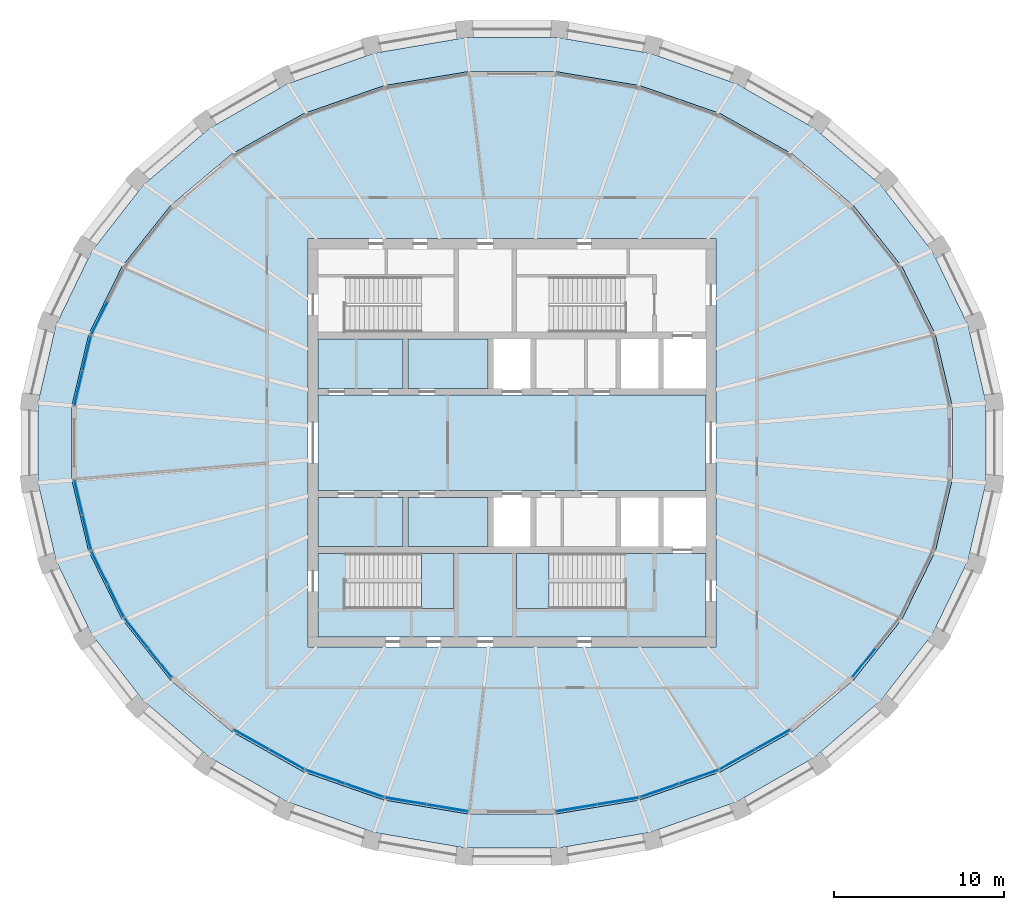
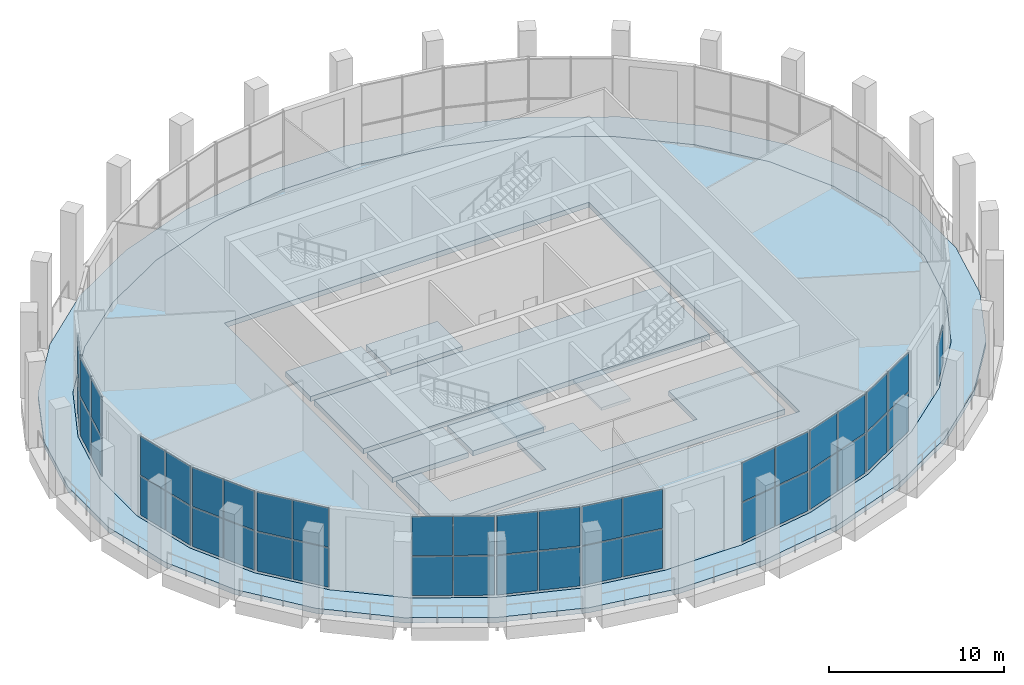
# One storey, part 8 of 15: 43 plates, 10 slabs, 14 elements without a shape of their own.
"""IFC4 building model written with IfcOpenShell, lengths in metres."""

from ifc_helpers import new_model, si_unit, direction, frame, origin, origin_2d, place, context, subcontext, project, spatial, polyline, rectangle, outline, extrude, material, layer, layer_set, type_object, element, aggregate, save


model = new_model("IFC4")

# Units and contexts
model_context = context("Model", 3, precision=1e-05, world=origin(), true_north=direction((0.0, 1.0)))
body_context = subcontext(model_context, "Body", "Model", "MODEL_VIEW")
ifc_project = project(units=[si_unit("LENGTHUNIT", "METRE"), si_unit("AREAUNIT", "SQUARE_METRE"), si_unit("VOLUMEUNIT", "CUBIC_METRE"), si_unit("PLANEANGLEUNIT", "RADIAN"), si_unit("MASSUNIT", "GRAM", prefix="KILO")], contexts=[model_context])

# Site, building, storey
site_placement = place(None, origin())
site = spatial("IfcSite", under=ifc_project, at=site_placement, CompositionType="ELEMENT")
building_placement = place(site_placement, origin())
building = spatial("IfcBuilding", under=site, at=building_placement, Name="Halqa Exchange Tower", CompositionType="ELEMENT")
storey_placement = place(building_placement, frame((0.0, 0.0, 343.300048828125)))
storey = spatial("IfcBuildingStorey", under=building, at=storey_placement, Name="L80", CompositionType="ELEMENT", Elevation=343.300048828125)

# Slabs
ifc_material_1 = material(Name="Concrete C60/75", Category="concrete")
ifc_layer_1 = layer(ifc_material_1, 0.35009765625)
ifc_layer_set_1 = layer_set([ifc_layer_1], Name="Concrete C60/75")
slab_type_1 = type_object("IfcSlabType", Name="Core floor slab 350", PredefinedType="FLOOR", material=ifc_layer_set_1)
slab_1_placement = place(storey_placement, frame((0.0, 0.0, -0.35009765625)))
element("IfcSlab", 1, at=slab_1_placement, inside=storey, type_object=slab_type_1, Name="Core floor slab", PredefinedType="FLOOR", context=body_context, shape_type="SweptSolid", body=[
    extrude(outline(polyline([(11.39990234375, 2.800048828125), (11.39990234375, -2.800048828125), (-11.39990234375, -2.800048828125), (-11.39990234375, 2.800048828125), (11.39990234375, 2.800048828125)])), origin(), (0.0, 0.0, 1.0), 0.35009765625),
])
slab_2_placement = place(storey_placement, frame((0.0, 0.0, -0.35009765625)))
element("IfcSlab", 2, at=slab_2_placement, inside=storey, type_object=slab_type_1, Name="Core floor slab", PredefinedType="FLOOR", context=body_context, shape_type="SweptSolid", body=[
    extrude(outline(polyline([(11.39990234375, -6.5), (11.39990234375, -11.39990234375), (-11.39990234375, -11.39990234375), (-11.39990234375, -6.5), (-9.699951171875, -6.5), (-9.699951171875, -9.75), (-3.39990234375, -9.75), (-3.39990234375, -6.5), (0.25, -6.5), (0.25, -9.75), (6.550048828125, -9.75), (6.550048828125, -6.5), (11.39990234375, -6.5)])), origin(), (0.0, 0.0, 1.0), 0.35009765625),
])
slab_3_placement = place(storey_placement, frame((0.0, 0.0, -0.35009765625)))
element("IfcSlab", 3, at=slab_3_placement, inside=storey, type_object=slab_type_1, Name="Core floor slab", PredefinedType="FLOOR", context=body_context, shape_type="SweptSolid", body=[
    extrude(outline(polyline([(-6.39990234375, -6.10009765625), (-11.39990234375, -6.10009765625), (-11.39990234375, -3.199951171875), (-6.39990234375, -3.199951171875), (-6.39990234375, -6.10009765625)])), origin(), (0.0, 0.0, 1.0), 0.35009765625),
])
slab_4_placement = place(storey_placement, frame((0.0, 0.0, -0.35009765625)))
element("IfcSlab", 4, at=slab_4_placement, inside=storey, type_object=slab_type_1, Name="Core floor slab", PredefinedType="FLOOR", context=body_context, shape_type="SweptSolid", body=[
    extrude(outline(polyline([(-6.39990234375, 3.199951171875), (-11.39990234375, 3.199951171875), (-11.39990234375, 6.10009765625), (-6.39990234375, 6.10009765625), (-6.39990234375, 3.199951171875)])), origin(), (0.0, 0.0, 1.0), 0.35009765625),
])
slab_5_placement = place(storey_placement, frame((0.0, 0.0, -0.35009765625)))
element("IfcSlab", 5, at=slab_5_placement, inside=storey, type_object=slab_type_1, Name="Core floor slab", PredefinedType="FLOOR", context=body_context, shape_type="SweptSolid", body=[
    extrude(outline(polyline([(-1.39990234375, -3.199951171875), (-1.39990234375, -6.10009765625), (-6.10009765625, -6.10009765625), (-6.10009765625, -3.199951171875), (-1.39990234375, -3.199951171875)])), origin(), (0.0, 0.0, 1.0), 0.35009765625),
])
slab_6_placement = place(storey_placement, frame((0.0, 0.0, -0.35009765625)))
element("IfcSlab", 6, at=slab_6_placement, inside=storey, type_object=slab_type_1, Name="Core floor slab", PredefinedType="FLOOR", context=body_context, shape_type="SweptSolid", body=[
    extrude(outline(polyline([(-1.39990234375, 3.199951171875), (-6.10009765625, 3.199951171875), (-6.10009765625, 6.10009765625), (-1.39990234375, 6.10009765625), (-1.39990234375, 3.199951171875)])), origin(), (0.0, 0.0, 1.0), 0.35009765625),
])

# Curtain wall, plates
ifc_material_2 = material(Name="Anodised aluminium and clear glass", Category="aluminium")
curtain_wall_type = type_object("IfcCurtainWallType", Name="Observation deck glazing", PredefinedType="NOTDEFINED", material=ifc_material_2)
curtain_wall_1_placement = place(storey_placement, origin())
curtain_wall_1 = element("IfcCurtainWall", 7, at=curtain_wall_1_placement, inside=storey, type_object=curtain_wall_type, Name="Observation deck glazing run G14", PredefinedType="NOTDEFINED")
ifc_material_3 = material(Name="Clear glass", Category="glass")
ifc_layer_2 = layer(ifc_material_3, 0.0439453125)
ifc_layer_set_2 = layer_set([ifc_layer_2], Name="Clear glass")
plate_type = type_object("IfcPlateType", Name="Laminated safety glass panel 44", PredefinedType="CURTAIN_PANEL", material=ifc_layer_set_2)
plate_1_placement = place(storey_placement, frame((-24.2421875, 7.33203125, 0.06982421875), z_axis=(0.0, 0.0, 1.0), x_axis=(-0.441594506199, -0.897214741349, 0.0)))
plate_1 = element("IfcPlate", 8, at=plate_1_placement, type_object=plate_type, Name="G14 panel 2.1", PredefinedType="CURTAIN_PANEL", context=body_context, shape_type="SweptSolid", body=[
    extrude(rectangle(XDim=2.094482421875, YDim=0.0439453125, at=origin_2d()), origin(), (0.0, 0.0, 1.0), 2.719970703125),
])
plate_2_placement = place(storey_placement, frame((-24.2421875, 7.33203125, 2.85986328125), z_axis=(0.0, 0.0, 1.0), x_axis=(-0.441594506199, -0.897214741349, 0.0)))
plate_2 = element("IfcPlate", 9, at=plate_2_placement, type_object=plate_type, Name="G14 panel 2.2", PredefinedType="CURTAIN_PANEL", context=body_context, shape_type="SweptSolid", body=[
    extrude(rectangle(XDim=2.094482421875, YDim=0.0439453125, at=origin_2d()), origin(), (0.0, 0.0, 1.0), 2.719970703125),
])
aggregate(curtain_wall_1, [plate_1, plate_2])

curtain_wall_2_placement = place(storey_placement, origin())
curtain_wall_2 = element("IfcCurtainWall", 10, at=curtain_wall_2_placement, inside=storey, type_object=curtain_wall_type, Name="Observation deck glazing run G15", PredefinedType="NOTDEFINED")
plate_3_placement = place(storey_placement, frame((-24.9873046875, 5.264404296875, 0.06982421875), z_axis=(0.0, 0.0, 1.0), x_axis=(-0.229995471437, -0.97319169906, 0.0)))
plate_3 = element("IfcPlate", 11, at=plate_3_placement, type_object=plate_type, Name="G15 panel 1.1", PredefinedType="CURTAIN_PANEL", context=body_context, shape_type="SweptSolid", body=[
    extrude(rectangle(XDim=2.048828125, YDim=0.0439453125, at=origin_2d()), origin(), (0.0, 0.0, 1.0), 2.719970703125),
])
plate_4_placement = place(storey_placement, frame((-24.9873046875, 5.264404296875, 2.85986328125), z_axis=(0.0, 0.0, 1.0), x_axis=(-0.229995471437, -0.97319169906, 0.0)))
plate_4 = element("IfcPlate", 12, at=plate_4_placement, type_object=plate_type, Name="G15 panel 1.2", PredefinedType="CURTAIN_PANEL", context=body_context, shape_type="SweptSolid", body=[
    extrude(rectangle(XDim=2.048828125, YDim=0.0439453125, at=origin_2d()), origin(), (0.0, 0.0, 1.0), 2.719970703125),
])
plate_5_placement = place(storey_placement, frame((-25.474609375, 3.20263671875, 0.06982421875), z_axis=(0.0, 0.0, 1.0), x_axis=(-0.229995471437, -0.97319169906, 0.0)))
plate_5 = element("IfcPlate", 13, at=plate_5_placement, type_object=plate_type, Name="G15 panel 2.1", PredefinedType="CURTAIN_PANEL", context=body_context, shape_type="SweptSolid", body=[
    extrude(rectangle(XDim=2.048828125, YDim=0.0439453125, at=origin_2d()), origin(), (0.0, 0.0, 1.0), 2.719970703125),
])
plate_6_placement = place(storey_placement, frame((-25.474609375, 3.20263671875, 2.85986328125), z_axis=(0.0, 0.0, 1.0), x_axis=(-0.229995471437, -0.97319169906, 0.0)))
plate_6 = element("IfcPlate", 14, at=plate_6_placement, type_object=plate_type, Name="G15 panel 2.2", PredefinedType="CURTAIN_PANEL", context=body_context, shape_type="SweptSolid", body=[
    extrude(rectangle(XDim=2.048828125, YDim=0.0439453125, at=origin_2d()), origin(), (0.0, 0.0, 1.0), 2.719970703125),
])
aggregate(curtain_wall_2, [plate_3, plate_4, plate_5, plate_6])

curtain_wall_3_placement = place(storey_placement, origin())
curtain_wall_3 = element("IfcCurtainWall", 15, at=curtain_wall_3_placement, inside=storey, type_object=curtain_wall_type, Name="Observation deck glazing run G17", PredefinedType="NOTDEFINED")
plate_7_placement = place(storey_placement, frame((-25.474609375, -3.20263671875, 0.06982421875), z_axis=(0.0, 0.0, 1.0), x_axis=(0.229995471437, -0.97319169906, 0.0)))
plate_7 = element("IfcPlate", 16, at=plate_7_placement, type_object=plate_type, Name="G17 panel 1.1", PredefinedType="CURTAIN_PANEL", context=body_context, shape_type="SweptSolid", body=[
    extrude(rectangle(XDim=2.048828125, YDim=0.0439453125, at=origin_2d()), origin(), (0.0, 0.0, 1.0), 2.719970703125),
])
plate_8_placement = place(storey_placement, frame((-25.474609375, -3.20263671875, 2.85986328125), z_axis=(0.0, 0.0, 1.0), x_axis=(0.229995471437, -0.97319169906, 0.0)))
plate_8 = element("IfcPlate", 17, at=plate_8_placement, type_object=plate_type, Name="G17 panel 1.2", PredefinedType="CURTAIN_PANEL", context=body_context, shape_type="SweptSolid", body=[
    extrude(rectangle(XDim=2.048828125, YDim=0.0439453125, at=origin_2d()), origin(), (0.0, 0.0, 1.0), 2.719970703125),
])
plate_9_placement = place(storey_placement, frame((-24.9873046875, -5.264404296875, 0.06982421875), z_axis=(0.0, 0.0, 1.0), x_axis=(0.229995471437, -0.97319169906, 0.0)))
plate_9 = element("IfcPlate", 18, at=plate_9_placement, type_object=plate_type, Name="G17 panel 2.1", PredefinedType="CURTAIN_PANEL", context=body_context, shape_type="SweptSolid", body=[
    extrude(rectangle(XDim=2.048828125, YDim=0.0439453125, at=origin_2d()), origin(), (0.0, 0.0, 1.0), 2.719970703125),
])
plate_10_placement = place(storey_placement, frame((-24.9873046875, -5.264404296875, 2.85986328125), z_axis=(0.0, 0.0, 1.0), x_axis=(0.229995471437, -0.97319169906, 0.0)))
plate_10 = element("IfcPlate", 19, at=plate_10_placement, type_object=plate_type, Name="G17 panel 2.2", PredefinedType="CURTAIN_PANEL", context=body_context, shape_type="SweptSolid", body=[
    extrude(rectangle(XDim=2.048828125, YDim=0.0439453125, at=origin_2d()), origin(), (0.0, 0.0, 1.0), 2.719970703125),
])
aggregate(curtain_wall_3, [plate_7, plate_8, plate_9, plate_10])

curtain_wall_4_placement = place(storey_placement, origin())
curtain_wall_4 = element("IfcCurtainWall", 20, at=curtain_wall_4_placement, inside=storey, type_object=curtain_wall_type, Name="Observation deck glazing run G18", PredefinedType="NOTDEFINED")
plate_11_placement = place(storey_placement, frame((-24.2421875, -7.33203125, 0.06982421875), z_axis=(0.0, 0.0, 1.0), x_axis=(0.441594506199, -0.897214741349, 0.0)))
plate_11 = element("IfcPlate", 21, at=plate_11_placement, type_object=plate_type, Name="G18 panel 1.1", PredefinedType="CURTAIN_PANEL", context=body_context, shape_type="SweptSolid", body=[
    extrude(rectangle(XDim=2.094482421875, YDim=0.0439453125, at=origin_2d()), origin(), (0.0, 0.0, 1.0), 2.719970703125),
])
plate_12_placement = place(storey_placement, frame((-24.2421875, -7.33203125, 2.85986328125), z_axis=(0.0, 0.0, 1.0), x_axis=(0.441594506199, -0.897214741349, 0.0)))
plate_12 = element("IfcPlate", 22, at=plate_12_placement, type_object=plate_type, Name="G18 panel 1.2", PredefinedType="CURTAIN_PANEL", context=body_context, shape_type="SweptSolid", body=[
    extrude(rectangle(XDim=2.094482421875, YDim=0.0439453125, at=origin_2d()), origin(), (0.0, 0.0, 1.0), 2.719970703125),
])
plate_13_placement = place(storey_placement, frame((-23.286376953125, -9.27392578125, 0.06982421875), z_axis=(0.0, 0.0, 1.0), x_axis=(0.441594506199, -0.897214741349, 0.0)))
plate_13 = element("IfcPlate", 23, at=plate_13_placement, type_object=plate_type, Name="G18 panel 2.1", PredefinedType="CURTAIN_PANEL", context=body_context, shape_type="SweptSolid", body=[
    extrude(rectangle(XDim=2.094482421875, YDim=0.0439453125, at=origin_2d()), origin(), (0.0, 0.0, 1.0), 2.719970703125),
])
plate_14_placement = place(storey_placement, frame((-23.286376953125, -9.27392578125, 2.85986328125), z_axis=(0.0, 0.0, 1.0), x_axis=(0.441594506199, -0.897214741349, 0.0)))
plate_14 = element("IfcPlate", 24, at=plate_14_placement, type_object=plate_type, Name="G18 panel 2.2", PredefinedType="CURTAIN_PANEL", context=body_context, shape_type="SweptSolid", body=[
    extrude(rectangle(XDim=2.094482421875, YDim=0.0439453125, at=origin_2d()), origin(), (0.0, 0.0, 1.0), 2.719970703125),
])
aggregate(curtain_wall_4, [plate_11, plate_12, plate_13, plate_14])

curtain_wall_5_placement = place(storey_placement, origin())
curtain_wall_5 = element("IfcCurtainWall", 25, at=curtain_wall_5_placement, inside=storey, type_object=curtain_wall_type, Name="Observation deck glazing run G19", PredefinedType="NOTDEFINED")
plate_15_placement = place(storey_placement, frame((-22.077392578125, -11.177490234375, 0.06982421875), z_axis=(0.0, 0.0, 1.0), x_axis=(0.621817275737, -0.783162355834, 0.0)))
plate_15 = element("IfcPlate", 26, at=plate_15_placement, type_object=plate_type, Name="G19 panel 1.1", PredefinedType="CURTAIN_PANEL", context=body_context, shape_type="SweptSolid", body=[
    extrude(rectangle(XDim=2.161376953125, YDim=0.0439453125, at=origin_2d()), origin(), (0.0, 0.0, 1.0), 2.719970703125),
])
plate_16_placement = place(storey_placement, frame((-22.077392578125, -11.177490234375, 2.85986328125), z_axis=(0.0, 0.0, 1.0), x_axis=(0.621817275737, -0.783162355834, 0.0)))
plate_16 = element("IfcPlate", 27, at=plate_16_placement, type_object=plate_type, Name="G19 panel 1.2", PredefinedType="CURTAIN_PANEL", context=body_context, shape_type="SweptSolid", body=[
    extrude(rectangle(XDim=2.161376953125, YDim=0.0439453125, at=origin_2d()), origin(), (0.0, 0.0, 1.0), 2.719970703125),
])
plate_17_placement = place(storey_placement, frame((-20.68994140625, -12.925048828125, 0.06982421875), z_axis=(0.0, 0.0, 1.0), x_axis=(0.621817275737, -0.783162355834, 0.0)))
plate_17 = element("IfcPlate", 28, at=plate_17_placement, type_object=plate_type, Name="G19 panel 2.1", PredefinedType="CURTAIN_PANEL", context=body_context, shape_type="SweptSolid", body=[
    extrude(rectangle(XDim=2.161376953125, YDim=0.0439453125, at=origin_2d()), origin(), (0.0, 0.0, 1.0), 2.719970703125),
])
plate_18_placement = place(storey_placement, frame((-20.68994140625, -12.925048828125, 2.85986328125), z_axis=(0.0, 0.0, 1.0), x_axis=(0.621817275737, -0.783162355834, 0.0)))
plate_18 = element("IfcPlate", 29, at=plate_18_placement, type_object=plate_type, Name="G19 panel 2.2", PredefinedType="CURTAIN_PANEL", context=body_context, shape_type="SweptSolid", body=[
    extrude(rectangle(XDim=2.161376953125, YDim=0.0439453125, at=origin_2d()), origin(), (0.0, 0.0, 1.0), 2.719970703125),
])
aggregate(curtain_wall_5, [plate_15, plate_16, plate_17, plate_18])

curtain_wall_6_placement = place(storey_placement, origin())
curtain_wall_6 = element("IfcCurtainWall", 30, at=curtain_wall_6_placement, inside=storey, type_object=curtain_wall_type, Name="Observation deck glazing run G21", PredefinedType="NOTDEFINED")
plate_19_placement = place(storey_placement, frame((-15.3212890625, -17.44384765625, 0.06982421875), z_axis=(0.0, 0.0, 1.0), x_axis=(0.871633547948, -0.490158094997, 0.0)))
plate_19 = element("IfcPlate", 31, at=plate_19_placement, type_object=plate_type, Name="G21 panel 1.1", PredefinedType="CURTAIN_PANEL", context=body_context, shape_type="SweptSolid", body=[
    extrude(rectangle(XDim=2.311767578125, YDim=0.0439453125, at=origin_2d()), origin(), (0.0, 0.0, 1.0), 2.719970703125),
])
plate_20_placement = place(storey_placement, frame((-15.3212890625, -17.44384765625, 2.85986328125), z_axis=(0.0, 0.0, 1.0), x_axis=(0.871633547948, -0.490158094997, 0.0)))
plate_20 = element("IfcPlate", 32, at=plate_20_placement, type_object=plate_type, Name="G21 panel 1.2", PredefinedType="CURTAIN_PANEL", context=body_context, shape_type="SweptSolid", body=[
    extrude(rectangle(XDim=2.311767578125, YDim=0.0439453125, at=origin_2d()), origin(), (0.0, 0.0, 1.0), 2.719970703125),
])
plate_21_placement = place(storey_placement, frame((-13.245361328125, -18.611083984375, 0.06982421875), z_axis=(0.0, 0.0, 1.0), x_axis=(0.871633547948, -0.490158094997, 0.0)))
plate_21 = element("IfcPlate", 33, at=plate_21_placement, type_object=plate_type, Name="G21 panel 2.1", PredefinedType="CURTAIN_PANEL", context=body_context, shape_type="SweptSolid", body=[
    extrude(rectangle(XDim=2.311767578125, YDim=0.0439453125, at=origin_2d()), origin(), (0.0, 0.0, 1.0), 2.719970703125),
])
plate_22_placement = place(storey_placement, frame((-13.245361328125, -18.611083984375, 2.85986328125), z_axis=(0.0, 0.0, 1.0), x_axis=(0.871633547948, -0.490158094997, 0.0)))
plate_22 = element("IfcPlate", 34, at=plate_22_placement, type_object=plate_type, Name="G21 panel 2.2", PredefinedType="CURTAIN_PANEL", context=body_context, shape_type="SweptSolid", body=[
    extrude(rectangle(XDim=2.311767578125, YDim=0.0439453125, at=origin_2d()), origin(), (0.0, 0.0, 1.0), 2.719970703125),
])
aggregate(curtain_wall_6, [plate_19, plate_20, plate_21, plate_22])

curtain_wall_7_placement = place(storey_placement, origin())
curtain_wall_7 = element("IfcCurtainWall", 35, at=curtain_wall_7_placement, inside=storey, type_object=curtain_wall_type, Name="Observation deck glazing run G22", PredefinedType="NOTDEFINED")
plate_23_placement = place(storey_placement, frame((-10.990478515625, -19.62548828125, 0.06982421875), z_axis=(0.0, 0.0, 1.0), x_axis=(0.9442741551, -0.329160021888, 0.0)))
plate_23 = element("IfcPlate", 36, at=plate_23_placement, type_object=plate_type, Name="G22 panel 1.1", PredefinedType="CURTAIN_PANEL", context=body_context, shape_type="SweptSolid", body=[
    extrude(rectangle(XDim=2.37255859375, YDim=0.0439453125, at=origin_2d()), origin(), (0.0, 0.0, 1.0), 2.719970703125),
])
plate_24_placement = place(storey_placement, frame((-10.990478515625, -19.62548828125, 2.85986328125), z_axis=(0.0, 0.0, 1.0), x_axis=(0.9442741551, -0.329160021888, 0.0)))
plate_24 = element("IfcPlate", 37, at=plate_24_placement, type_object=plate_type, Name="G22 panel 1.2", PredefinedType="CURTAIN_PANEL", context=body_context, shape_type="SweptSolid", body=[
    extrude(rectangle(XDim=2.37255859375, YDim=0.0439453125, at=origin_2d()), origin(), (0.0, 0.0, 1.0), 2.719970703125),
])
plate_25_placement = place(storey_placement, frame((-8.683837890625, -20.429443359375, 0.06982421875), z_axis=(0.0, 0.0, 1.0), x_axis=(0.9442741551, -0.329160021888, 0.0)))
plate_25 = element("IfcPlate", 38, at=plate_25_placement, type_object=plate_type, Name="G22 panel 2.1", PredefinedType="CURTAIN_PANEL", context=body_context, shape_type="SweptSolid", body=[
    extrude(rectangle(XDim=2.37255859375, YDim=0.0439453125, at=origin_2d()), origin(), (0.0, 0.0, 1.0), 2.719970703125),
])
plate_26_placement = place(storey_placement, frame((-8.683837890625, -20.429443359375, 2.85986328125), z_axis=(0.0, 0.0, 1.0), x_axis=(0.9442741551, -0.329160021888, 0.0)))
plate_26 = element("IfcPlate", 39, at=plate_26_placement, type_object=plate_type, Name="G22 panel 2.2", PredefinedType="CURTAIN_PANEL", context=body_context, shape_type="SweptSolid", body=[
    extrude(rectangle(XDim=2.37255859375, YDim=0.0439453125, at=origin_2d()), origin(), (0.0, 0.0, 1.0), 2.719970703125),
])
aggregate(curtain_wall_7, [plate_23, plate_24, plate_25, plate_26])

curtain_wall_8_placement = place(storey_placement, origin())
curtain_wall_8 = element("IfcCurtainWall", 40, at=curtain_wall_8_placement, inside=storey, type_object=curtain_wall_type, Name="Observation deck glazing run G23", PredefinedType="NOTDEFINED")
plate_27_placement = place(storey_placement, frame((-6.23876953125, -21.053955078125, 0.06982421875), z_axis=(0.0, 0.0, 1.0), x_axis=(0.986273964834, -0.165117129007, 0.0)))
plate_27 = element("IfcPlate", 41, at=plate_27_placement, type_object=plate_type, Name="G23 panel 1.1", PredefinedType="CURTAIN_PANEL", context=body_context, shape_type="SweptSolid", body=[
    extrude(rectangle(XDim=2.41259765625, YDim=0.0439453125, at=origin_2d()), origin(), (0.0, 0.0, 1.0), 2.719970703125),
])
plate_28_placement = place(storey_placement, frame((-6.23876953125, -21.053955078125, 2.85986328125), z_axis=(0.0, 0.0, 1.0), x_axis=(0.986273964834, -0.165117129007, 0.0)))
plate_28 = element("IfcPlate", 42, at=plate_28_placement, type_object=plate_type, Name="G23 panel 1.2", PredefinedType="CURTAIN_PANEL", context=body_context, shape_type="SweptSolid", body=[
    extrude(rectangle(XDim=2.41259765625, YDim=0.0439453125, at=origin_2d()), origin(), (0.0, 0.0, 1.0), 2.719970703125),
])
plate_29_placement = place(storey_placement, frame((-3.790283203125, -21.4638671875, 0.06982421875), z_axis=(0.0, 0.0, 1.0), x_axis=(0.986273964834, -0.165117129007, 0.0)))
plate_29 = element("IfcPlate", 43, at=plate_29_placement, type_object=plate_type, Name="G23 panel 2.1", PredefinedType="CURTAIN_PANEL", context=body_context, shape_type="SweptSolid", body=[
    extrude(rectangle(XDim=2.41259765625, YDim=0.0439453125, at=origin_2d()), origin(), (0.0, 0.0, 1.0), 2.719970703125),
])
plate_30_placement = place(storey_placement, frame((-3.790283203125, -21.4638671875, 2.85986328125), z_axis=(0.0, 0.0, 1.0), x_axis=(0.986273964834, -0.165117129007, 0.0)))
plate_30 = element("IfcPlate", 44, at=plate_30_placement, type_object=plate_type, Name="G23 panel 2.2", PredefinedType="CURTAIN_PANEL", context=body_context, shape_type="SweptSolid", body=[
    extrude(rectangle(XDim=2.41259765625, YDim=0.0439453125, at=origin_2d()), origin(), (0.0, 0.0, 1.0), 2.719970703125),
])
aggregate(curtain_wall_8, [plate_27, plate_28, plate_29, plate_30])

curtain_wall_9_placement = place(storey_placement, origin())
curtain_wall_9 = element("IfcCurtainWall", 45, at=curtain_wall_9_placement, inside=storey, type_object=curtain_wall_type, Name="Observation deck glazing run G25", PredefinedType="NOTDEFINED")
plate_31_placement = place(storey_placement, frame((3.790283203125, -21.4638671875, 0.06982421875), z_axis=(0.0, 0.0, 1.0), x_axis=(0.986273964834, 0.165117129007, 0.0)))
plate_31 = element("IfcPlate", 46, at=plate_31_placement, type_object=plate_type, Name="G25 panel 1.1", PredefinedType="CURTAIN_PANEL", context=body_context, shape_type="SweptSolid", body=[
    extrude(rectangle(XDim=2.41259765625, YDim=0.0439453125, at=origin_2d()), origin(), (0.0, 0.0, 1.0), 2.719970703125),
])
plate_32_placement = place(storey_placement, frame((3.790283203125, -21.4638671875, 2.85986328125), z_axis=(0.0, 0.0, 1.0), x_axis=(0.986273964834, 0.165117129007, 0.0)))
plate_32 = element("IfcPlate", 47, at=plate_32_placement, type_object=plate_type, Name="G25 panel 1.2", PredefinedType="CURTAIN_PANEL", context=body_context, shape_type="SweptSolid", body=[
    extrude(rectangle(XDim=2.41259765625, YDim=0.0439453125, at=origin_2d()), origin(), (0.0, 0.0, 1.0), 2.719970703125),
])
plate_33_placement = place(storey_placement, frame((6.23876953125, -21.053955078125, 0.06982421875), z_axis=(0.0, 0.0, 1.0), x_axis=(0.986273964834, 0.165117129007, 0.0)))
plate_33 = element("IfcPlate", 48, at=plate_33_placement, type_object=plate_type, Name="G25 panel 2.1", PredefinedType="CURTAIN_PANEL", context=body_context, shape_type="SweptSolid", body=[
    extrude(rectangle(XDim=2.41259765625, YDim=0.0439453125, at=origin_2d()), origin(), (0.0, 0.0, 1.0), 2.719970703125),
])
plate_34_placement = place(storey_placement, frame((6.23876953125, -21.053955078125, 2.85986328125), z_axis=(0.0, 0.0, 1.0), x_axis=(0.986273964834, 0.165117129007, 0.0)))
plate_34 = element("IfcPlate", 49, at=plate_34_placement, type_object=plate_type, Name="G25 panel 2.2", PredefinedType="CURTAIN_PANEL", context=body_context, shape_type="SweptSolid", body=[
    extrude(rectangle(XDim=2.41259765625, YDim=0.0439453125, at=origin_2d()), origin(), (0.0, 0.0, 1.0), 2.719970703125),
])
aggregate(curtain_wall_9, [plate_31, plate_32, plate_33, plate_34])

curtain_wall_10_placement = place(storey_placement, origin())
curtain_wall_10 = element("IfcCurtainWall", 50, at=curtain_wall_10_placement, inside=storey, type_object=curtain_wall_type, Name="Observation deck glazing run G26", PredefinedType="NOTDEFINED")
plate_35_placement = place(storey_placement, frame((8.683837890625, -20.429443359375, 0.06982421875), z_axis=(0.0, 0.0, 1.0), x_axis=(0.9442741551, 0.329160021888, 0.0)))
plate_35 = element("IfcPlate", 51, at=plate_35_placement, type_object=plate_type, Name="G26 panel 1.1", PredefinedType="CURTAIN_PANEL", context=body_context, shape_type="SweptSolid", body=[
    extrude(rectangle(XDim=2.37255859375, YDim=0.0439453125, at=origin_2d()), origin(), (0.0, 0.0, 1.0), 2.719970703125),
])
plate_36_placement = place(storey_placement, frame((8.683837890625, -20.429443359375, 2.85986328125), z_axis=(0.0, 0.0, 1.0), x_axis=(0.9442741551, 0.329160021888, 0.0)))
plate_36 = element("IfcPlate", 52, at=plate_36_placement, type_object=plate_type, Name="G26 panel 1.2", PredefinedType="CURTAIN_PANEL", context=body_context, shape_type="SweptSolid", body=[
    extrude(rectangle(XDim=2.37255859375, YDim=0.0439453125, at=origin_2d()), origin(), (0.0, 0.0, 1.0), 2.719970703125),
])
plate_37_placement = place(storey_placement, frame((10.990478515625, -19.62548828125, 0.06982421875), z_axis=(0.0, 0.0, 1.0), x_axis=(0.9442741551, 0.329160021888, 0.0)))
plate_37 = element("IfcPlate", 53, at=plate_37_placement, type_object=plate_type, Name="G26 panel 2.1", PredefinedType="CURTAIN_PANEL", context=body_context, shape_type="SweptSolid", body=[
    extrude(rectangle(XDim=2.37255859375, YDim=0.0439453125, at=origin_2d()), origin(), (0.0, 0.0, 1.0), 2.719970703125),
])
plate_38_placement = place(storey_placement, frame((10.990478515625, -19.62548828125, 2.85986328125), z_axis=(0.0, 0.0, 1.0), x_axis=(0.9442741551, 0.329160021888, 0.0)))
plate_38 = element("IfcPlate", 54, at=plate_38_placement, type_object=plate_type, Name="G26 panel 2.2", PredefinedType="CURTAIN_PANEL", context=body_context, shape_type="SweptSolid", body=[
    extrude(rectangle(XDim=2.37255859375, YDim=0.0439453125, at=origin_2d()), origin(), (0.0, 0.0, 1.0), 2.719970703125),
])
aggregate(curtain_wall_10, [plate_35, plate_36, plate_37, plate_38])

curtain_wall_11_placement = place(storey_placement, origin())
curtain_wall_11 = element("IfcCurtainWall", 55, at=curtain_wall_11_placement, inside=storey, type_object=curtain_wall_type, Name="Observation deck glazing run G27", PredefinedType="NOTDEFINED")
plate_39_placement = place(storey_placement, frame((13.245361328125, -18.611083984375, 0.06982421875), z_axis=(0.0, 0.0, 1.0), x_axis=(0.871633547948, 0.490158094997, 0.0)))
plate_39 = element("IfcPlate", 56, at=plate_39_placement, type_object=plate_type, Name="G27 panel 1.1", PredefinedType="CURTAIN_PANEL", context=body_context, shape_type="SweptSolid", body=[
    extrude(rectangle(XDim=2.311767578125, YDim=0.0439453125, at=origin_2d()), origin(), (0.0, 0.0, 1.0), 2.719970703125),
])
plate_40_placement = place(storey_placement, frame((13.245361328125, -18.611083984375, 2.85986328125), z_axis=(0.0, 0.0, 1.0), x_axis=(0.871633547948, 0.490158094997, 0.0)))
plate_40 = element("IfcPlate", 57, at=plate_40_placement, type_object=plate_type, Name="G27 panel 1.2", PredefinedType="CURTAIN_PANEL", context=body_context, shape_type="SweptSolid", body=[
    extrude(rectangle(XDim=2.311767578125, YDim=0.0439453125, at=origin_2d()), origin(), (0.0, 0.0, 1.0), 2.719970703125),
])
plate_41_placement = place(storey_placement, frame((15.3212890625, -17.44384765625, 0.06982421875), z_axis=(0.0, 0.0, 1.0), x_axis=(0.871633547948, 0.490158094997, 0.0)))
plate_41 = element("IfcPlate", 58, at=plate_41_placement, type_object=plate_type, Name="G27 panel 2.1", PredefinedType="CURTAIN_PANEL", context=body_context, shape_type="SweptSolid", body=[
    extrude(rectangle(XDim=2.311767578125, YDim=0.0439453125, at=origin_2d()), origin(), (0.0, 0.0, 1.0), 2.719970703125),
])
plate_42_placement = place(storey_placement, frame((15.3212890625, -17.44384765625, 2.85986328125), z_axis=(0.0, 0.0, 1.0), x_axis=(0.871633547948, 0.490158094997, 0.0)))
plate_42 = element("IfcPlate", 59, at=plate_42_placement, type_object=plate_type, Name="G27 panel 2.2", PredefinedType="CURTAIN_PANEL", context=body_context, shape_type="SweptSolid", body=[
    extrude(rectangle(XDim=2.311767578125, YDim=0.0439453125, at=origin_2d()), origin(), (0.0, 0.0, 1.0), 2.719970703125),
])
aggregate(curtain_wall_11, [plate_39, plate_40, plate_41, plate_42])

# Curtain wall, plate
curtain_wall_12_placement = place(storey_placement, origin())
curtain_wall_12 = element("IfcCurtainWall", 60, at=curtain_wall_12_placement, inside=storey, type_object=curtain_wall_type, Name="Observation deck glazing run G29", PredefinedType="NOTDEFINED")
plate_43_placement = place(storey_placement, frame((20.68994140625, -12.925048828125, 0.06982421875), z_axis=(0.0, 0.0, 1.0), x_axis=(0.621817275737, 0.783162355834, 0.0)))
plate_43 = element("IfcPlate", 61, at=plate_43_placement, type_object=plate_type, Name="G29 panel 1.1", PredefinedType="CURTAIN_PANEL", context=body_context, shape_type="SweptSolid", body=[
    extrude(rectangle(XDim=2.161376953125, YDim=0.0439453125, at=origin_2d()), origin(), (0.0, 0.0, 1.0), 2.719970703125),
])
aggregate(curtain_wall_12, [plate_43])

# Slabs
ifc_material_4 = material(Name="Concrete C40/50", Category="concrete")
ifc_layer_3 = layer(ifc_material_4, 0.35009765625)
ifc_layer_set_3 = layer_set([ifc_layer_3], Name="Concrete C40/50")
slab_type_2 = type_object("IfcSlabType", Name="RC floor slab 350", PredefinedType="FLOOR", material=ifc_layer_set_3)
slab_7_placement = place(storey_placement, frame((0.0, 0.0, -0.35009765625)))
element("IfcSlab", 62, at=slab_7_placement, inside=storey, type_object=slab_type_2, Name="Floor slab", PredefinedType="FLOOR", context=body_context, shape_type="SweptSolid", body=[
    extrude(outline(polyline([(25.876220703125, 2.155029296875), (24.877685546875, 6.380615234375), (22.92041015625, 10.35693359375), (20.08251953125, 13.93115234375), (16.4755859375, 16.966796875), (12.23876953125, 19.34912109375), (7.534912109375, 20.989013671875), (2.5439453125, 21.824462890625), (-2.5439453125, 21.824462890625), (-7.534912109375, 20.989013671875), (-12.23876953125, 19.34912109375), (-16.4755859375, 16.966796875), (-20.08251953125, 13.93115234375), (-22.92041015625, 10.35693359375), (-24.877685546875, 6.380615234375), (-25.876220703125, 2.155029296875), (-25.876220703125, -2.155029296875), (-24.877685546875, -6.380615234375), (-22.92041015625, -10.35693359375), (-20.08251953125, -13.93115234375), (-16.4755859375, -16.966796875), (-12.23876953125, -19.34912109375), (-7.534912109375, -20.989013671875), (-2.5439453125, -21.824462890625), (2.5439453125, -21.824462890625), (7.534912109375, -20.989013671875), (12.23876953125, -19.34912109375), (16.4755859375, -16.966796875), (20.08251953125, -13.93115234375), (22.92041015625, -10.35693359375), (24.877685546875, -6.380615234375), (25.876220703125, -2.155029296875), (25.876220703125, 2.155029296875)]), holes=[polyline([(-12.0, -12.0), (12.0, -12.0), (12.0, 12.0), (-12.0, 12.0), (-12.0, -12.0)])]), origin(), (0.0, 0.0, 1.0), 0.35009765625),
])
ifc_layer_4 = layer(ifc_material_4, 0.35009765625)
ifc_layer_set_4 = layer_set([ifc_layer_4], Name="Concrete C40/50")
slab_type_3 = type_object("IfcSlabType", Name="RC loggia slab 350", PredefinedType="FLOOR", material=ifc_layer_set_4)
slab_8_placement = place(storey_placement, frame((0.0, 0.0, -0.35009765625)))
element("IfcSlab", 63, at=slab_8_placement, inside=storey, type_object=slab_type_3, Name="Loggia slab", PredefinedType="FLOOR", context=body_context, shape_type="SweptSolid", body=[
    extrude(outline(polyline([(27.86279296875, 2.337158203125), (27.86279296875, -2.337158203125), (26.79833984375, -6.923828125), (24.707763671875, -11.250244140625), (21.667236328125, -15.150390625), (17.790771484375, -18.47314453125), (13.22509765625, -21.087890625), (8.146484375, -22.89111328125), (2.751220703125, -23.81103515625), (-2.751220703125, -23.81103515625), (-8.146484375, -22.89111328125), (-13.22509765625, -21.087890625), (-17.790771484375, -18.47314453125), (-21.667236328125, -15.150390625), (-24.707763671875, -11.250244140625), (-26.79833984375, -6.923828125), (-27.86279296875, -2.337158203125), (-27.86279296875, 2.337158203125), (-26.79833984375, 6.923828125), (-24.707763671875, 11.250244140625), (-21.667236328125, 15.150390625), (-17.790771484375, 18.47314453125), (-13.22509765625, 21.087890625), (-8.146484375, 22.89111328125), (-2.751220703125, 23.81103515625), (2.751220703125, 23.81103515625), (8.146484375, 22.89111328125), (13.22509765625, 21.087890625), (17.790771484375, 18.47314453125), (21.667236328125, 15.150390625), (24.707763671875, 11.250244140625), (26.79833984375, 6.923828125), (27.86279296875, 2.337158203125)]), holes=[polyline([(25.876220703125, 2.155029296875), (24.877685546875, 6.380615234375), (22.92041015625, 10.35693359375), (20.08251953125, 13.93115234375), (16.4755859375, 16.966796875), (12.23876953125, 19.34912109375), (7.534912109375, 20.989013671875), (2.5439453125, 21.824462890625), (-2.5439453125, 21.824462890625), (-7.534912109375, 20.989013671875), (-12.23876953125, 19.34912109375), (-16.4755859375, 16.966796875), (-20.08251953125, 13.93115234375), (-22.92041015625, 10.35693359375), (-24.877685546875, 6.380615234375), (-25.876220703125, 2.155029296875), (-25.876220703125, -2.155029296875), (-24.877685546875, -6.380615234375), (-22.92041015625, -10.35693359375), (-20.08251953125, -13.93115234375), (-16.4755859375, -16.966796875), (-12.23876953125, -19.34912109375), (-7.534912109375, -20.989013671875), (-2.5439453125, -21.824462890625), (2.5439453125, -21.824462890625), (7.534912109375, -20.989013671875), (12.23876953125, -19.34912109375), (16.4755859375, -16.966796875), (20.08251953125, -13.93115234375), (22.92041015625, -10.35693359375), (24.877685546875, -6.380615234375), (25.876220703125, -2.155029296875), (25.876220703125, 2.155029296875)])]), origin(), (0.0, 0.0, 1.0), 0.35009765625),
])

# Stair, slab
ifc_material_5 = material(Name="Concrete C30/37", Category="concrete")
stair_type = type_object("IfcStairType", Name="Exit stair 1500 wide", PredefinedType="HALF_TURN_STAIR", material=ifc_material_5)
stair_1_placement = place(storey_placement, origin())
stair_1 = element("IfcStair", 64, at=stair_1_placement, inside=storey, type_object=stair_type, Name="Exit stair ST3", PredefinedType="HALF_TURN_STAIR")
ifc_layer_5 = layer(ifc_material_5, 0.199951171875)
ifc_layer_set_5 = layer_set([ifc_layer_5], Name="Concrete C30/37")
slab_type_4 = type_object("IfcSlabType", Name="Stair landing 200 slab", PredefinedType="LANDING", material=ifc_layer_set_5)
slab_9_placement = place(storey_placement, frame((0.0, 0.0, 2.800048828125)))
slab_9 = element("IfcSlab", 65, at=slab_9_placement, type_object=slab_type_4, Name="ST3 landing 1", PredefinedType="LANDING", context=body_context, shape_type="SweptSolid", body=[
    extrude(outline(polyline([(-5.320068359375, -9.75), (-3.39990234375, -9.75), (-3.39990234375, -6.5), (-5.320068359375, -6.5), (-5.320068359375, -9.75)])), origin(), (0.0, 0.0, 1.0), 0.199951171875),
])
aggregate(stair_1, [slab_9])

stair_2_placement = place(storey_placement, origin())
stair_2 = element("IfcStair", 66, at=stair_2_placement, inside=storey, type_object=stair_type, Name="Exit stair ST4", PredefinedType="HALF_TURN_STAIR")
slab_10_placement = place(storey_placement, frame((0.0, 0.0, 2.800048828125)))
slab_10 = element("IfcSlab", 67, at=slab_10_placement, type_object=slab_type_4, Name="ST4 landing 1", PredefinedType="LANDING", context=body_context, shape_type="SweptSolid", body=[
    extrude(outline(polyline([(0.25, -9.75), (2.169921875, -9.75), (2.169921875, -6.5), (0.25, -6.5), (0.25, -9.75)])), origin(), (0.0, 0.0, 1.0), 0.199951171875),
])
aggregate(stair_2, [slab_10])

save(model, "model.ifc")
